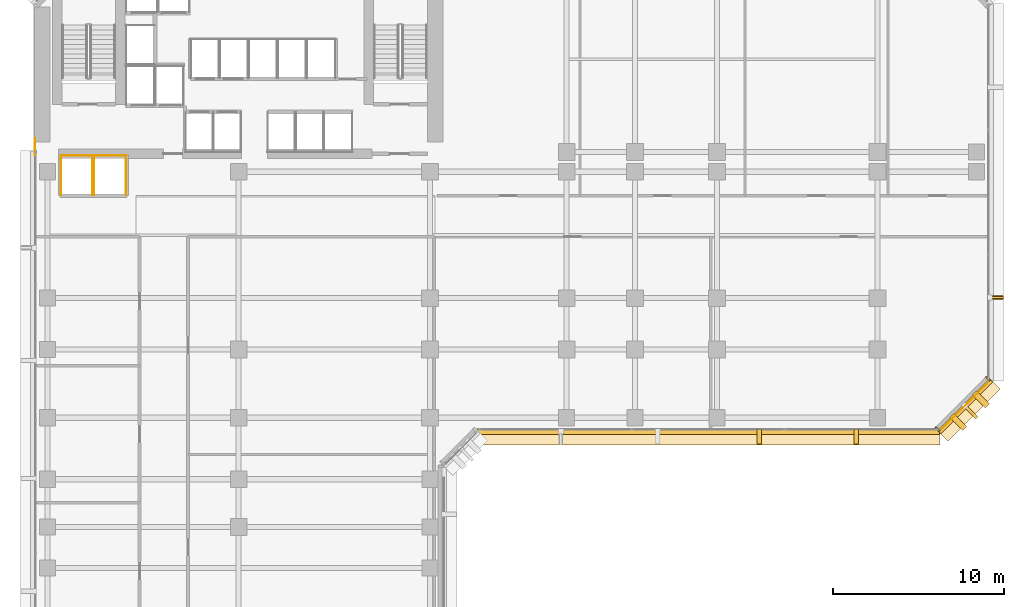
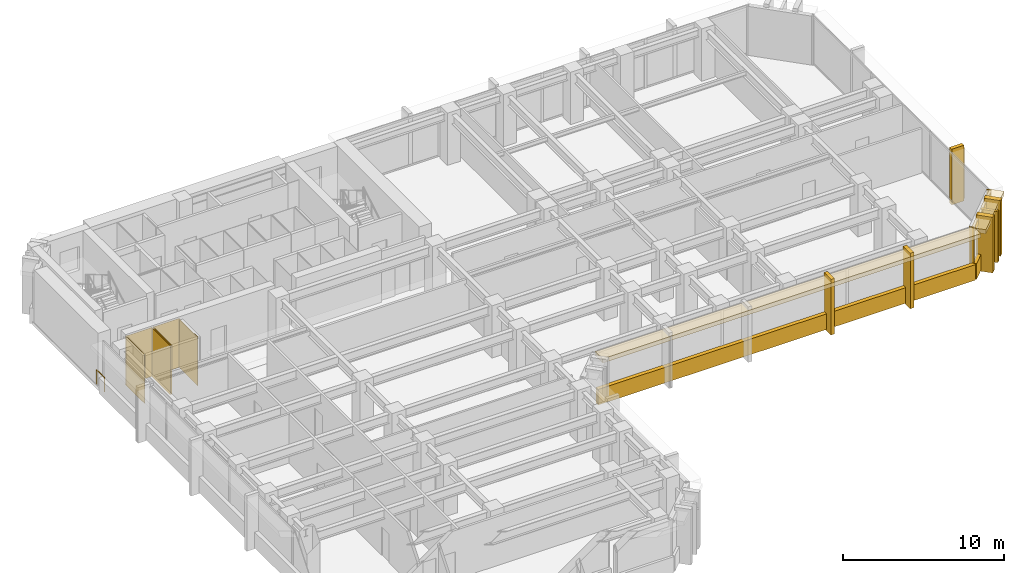
# One storey, part 10 of 13: 18 coverings, 2 shading devices, 1 railing.
"""IFC4 building model written with IfcOpenShell, lengths in metres."""

from ifc_helpers import new_model, si_unit, direction, frame, origin, origin_2d, place, context, subcontext, project, spatial, polyline, rectangle, circle, outline, extrude, material, layer, layer_set, material_profile, profile_set, type_object, element, save


model = new_model("IFC4")

# Units and contexts
model_context = context("Model", 3, precision=1e-05, world=origin(), true_north=direction((0.0, 1.0)))
body_context = subcontext(model_context, "Body", "Model", "MODEL_VIEW")
ifc_project = project(units=[si_unit("LENGTHUNIT", "METRE"), si_unit("AREAUNIT", "SQUARE_METRE"), si_unit("VOLUMEUNIT", "CUBIC_METRE"), si_unit("PLANEANGLEUNIT", "RADIAN"), si_unit("MASSUNIT", "GRAM", prefix="KILO")], contexts=[model_context])

# Site, building, storey
site_placement = place(None, origin())
site = spatial("IfcSite", under=ifc_project, at=site_placement, CompositionType="ELEMENT")
building_placement = place(site_placement, origin())
building = spatial("IfcBuilding", under=site, at=building_placement, Name="Kefirva Bronze Tower", CompositionType="ELEMENT")
storey_placement = place(building_placement, frame((0.0, 0.0, 38.280029296875)))
storey = spatial("IfcBuildingStorey", under=building, at=storey_placement, Name="L08", CompositionType="ELEMENT", Elevation=38.280029296875)

# Coverings
ifc_material_1 = material(Name="Bronze anodised aluminium", Category="aluminium")
ifc_layer_1 = layer(ifc_material_1, 0.02001953125, Name="Bronze anodised aluminium")
ifc_layer_set_1 = layer_set([ifc_layer_1], Name="Bronze anodised aluminium")
covering_type_1 = type_object("IfcCoveringType", Name="Anodised Bronze Spandrel Cladding 20mm", PredefinedType="CLADDING", material=ifc_layer_set_1)
covering_1_placement = place(storey_placement, frame((39.5, 17.9599609375, -0.16015625), z_axis=(0.0, 0.0, 1.0), x_axis=(1.0, 0.0, 0.0)))
element("IfcCovering", 1, at=covering_1_placement, inside=storey, type_object=covering_type_1, Name="L08 Streamline Horizontal Spandrel Band 8", PredefinedType="CLADDING", context=body_context, shape_type="SweptSolid", body=[
    extrude(rectangle(XDim=27.0400390625, YDim=0.280029296875, at=origin_2d()), origin(), (0.0, 0.0, 1.0), 1.179931640625),
])
covering_2_placement = place(storey_placement, frame((54.507080078125, 19.492919921875, 3.2900390625), z_axis=(0.0, 0.0, 1.0), x_axis=(0.707106781187, 0.707106781187, 0.0)))
element("IfcCovering", 2, at=covering_2_placement, inside=storey, type_object=covering_type_1, Name="L08 Bronze Spandrel Cladding 7", PredefinedType="CLADDING", context=body_context, shape_type="SweptSolid", body=[
    extrude(rectangle(XDim=3.719482421875, YDim=0.02001953125, at=origin_2d()), origin(), (0.0, 0.0, 1.0), 0.39990234375),
])
for number, where, z_axis, x_axis, name in (
    (3, (52.91162109375, 18.137939453125, 0.0), (0.0, 0.0, 1.0), (0.707106781187, 0.707106781187, 0.0), "L08 Facade Joint Closure Panel 7S"),
    (4, (55.862060546875, 21.08837890625, 0.0), (0.0, 0.0, 1.0), (0.707106781187, 0.707106781187, 0.0), "L08 Facade Joint Closure Panel 7E"),
):
    element("IfcCovering", number, at=place(storey_placement, frame(where, z_axis=z_axis, x_axis=x_axis)), inside=storey, type_object=covering_type_1, Name=name, PredefinedType="CLADDING", context=body_context, shape_type="SweptSolid", body=[
        extrude(rectangle(XDim=0.10009765625, YDim=0.320068359375, at=origin_2d()), origin(), (0.0, 0.0, 1.0), 3.7099609375),
    ])
covering_3_placement = place(storey_placement, frame((54.5283203125, 19.4716796875, -0.16015625), z_axis=(0.0, 0.0, 1.0), x_axis=(0.707106781187, 0.707106781187, 0.0)))
element("IfcCovering", 5, at=covering_3_placement, inside=storey, type_object=covering_type_1, Name="L08 Streamline Horizontal Spandrel Band 9", PredefinedType="CLADDING", context=body_context, shape_type="SweptSolid", body=[
    extrude(rectangle(XDim=4.28271484375, YDim=0.280029296875, at=origin_2d()), origin(), (0.0, 0.0, 1.0), 1.179931640625),
])
covering_4_placement = place(storey_placement, origin())
element("IfcCovering", 6, at=covering_4_placement, inside=storey, type_object=covering_type_1, Name="L08 Lift OB1 Hoistway Liner N", PredefinedType="CLADDING", context=body_context, shape_type="SweptSolid", body=[
    extrude(outline(polyline([(1.580078125, 34.139892578125), (3.469970703125, 34.139892578125), (3.469970703125, 34.159912109375), (1.580078125, 34.159912109375), (1.580078125, 34.139892578125)])), origin(), (0.0, 0.0, 1.0), 3.7099609375),
])
covering_5_placement = place(storey_placement, origin())
element("IfcCovering", 7, at=covering_5_placement, inside=storey, type_object=covering_type_1, Name="L08 Lift OB1 Hoistway Liner W", PredefinedType="CLADDING", context=body_context, shape_type="SweptSolid", body=[
    extrude(outline(polyline([(1.590087890625, 31.830078125), (1.610107421875, 31.830078125), (1.610107421875, 34.169921875), (1.590087890625, 34.169921875), (1.590087890625, 31.830078125)])), origin(), (0.0, 0.0, 1.0), 3.7099609375),
])
covering_6_placement = place(storey_placement, origin())
element("IfcCovering", 8, at=covering_6_placement, inside=storey, type_object=covering_type_1, Name="L08 Lift OB1 Hoistway Liner E", PredefinedType="CLADDING", context=body_context, shape_type="SweptSolid", body=[
    extrude(outline(polyline([(3.43994140625, 31.830078125), (3.4599609375, 31.830078125), (3.4599609375, 34.169921875), (3.43994140625, 34.169921875), (3.43994140625, 31.830078125)])), origin(), (0.0, 0.0, 1.0), 3.7099609375),
])
covering_7_placement = place(storey_placement, origin())
element("IfcCovering", 9, at=covering_7_placement, inside=storey, type_object=covering_type_1, Name="L08 Lift OB2 Hoistway Liner N", PredefinedType="CLADDING", context=body_context, shape_type="SweptSolid", body=[
    extrude(outline(polyline([(3.530029296875, 34.139892578125), (5.419921875, 34.139892578125), (5.419921875, 34.159912109375), (3.530029296875, 34.159912109375), (3.530029296875, 34.139892578125)])), origin(), (0.0, 0.0, 1.0), 3.7099609375),
])
covering_8_placement = place(storey_placement, origin())
element("IfcCovering", 10, at=covering_8_placement, inside=storey, type_object=covering_type_1, Name="L08 Lift OB2 Hoistway Liner W", PredefinedType="CLADDING", context=body_context, shape_type="SweptSolid", body=[
    extrude(outline(polyline([(3.5400390625, 31.830078125), (3.56005859375, 31.830078125), (3.56005859375, 34.169921875), (3.5400390625, 34.169921875), (3.5400390625, 31.830078125)])), origin(), (0.0, 0.0, 1.0), 3.7099609375),
])
covering_9_placement = place(storey_placement, origin())
element("IfcCovering", 11, at=covering_9_placement, inside=storey, type_object=covering_type_1, Name="L08 Lift OB2 Hoistway Liner E", PredefinedType="CLADDING", context=body_context, shape_type="SweptSolid", body=[
    extrude(outline(polyline([(5.389892578125, 31.830078125), (5.409912109375, 31.830078125), (5.409912109375, 34.169921875), (5.389892578125, 34.169921875), (5.389892578125, 31.830078125)])), origin(), (0.0, 0.0, 1.0), 3.7099609375),
])

# Shading device
ifc_material_profile_1 = material_profile(ifc_material_1, rectangle(XDim=0.179931640625, YDim=1.080078125, at=origin_2d()), Name="BRONZE BUTTRESS FIN 180x1080")
ifc_profile_set_1 = profile_set([ifc_material_profile_1], Name="Bronze anodised aluminium")
shading_device_type_1 = type_object("IfcShadingDeviceType", Name="Chamfered Corner Buttress Bronze Fin 1080mm", PredefinedType="USERDEFINED", material=ifc_profile_set_1)
shading_device_1_placement = place(storey_placement, frame((54.8251953125, 19.1748046875, -0.14013671875), z_axis=(0.0, 0.0, 1.0), x_axis=(0.707106781187, 0.707106781187, 0.0)))
element("IfcShadingDevice", 12, at=shading_device_1_placement, inside=storey, type_object=shading_device_type_1, Name="L08 Chamfered Corner Buttress Fin 14", ObjectType="VERTICAL FIN", PredefinedType="USERDEFINED", context=body_context, shape_type="SweptSolid", body=[
    extrude(rectangle(XDim=0.179931640625, YDim=1.080078125, at=origin_2d()), origin(), (0.0, 0.0, 1.0), 3.85009765625),
])

# Railing
ifc_material_2 = material(Name="Stainless steel 316", Category="steel")
railing_type = type_object("IfcRailingType", Name="Interior Stair Guardrail 1100mm", PredefinedType="GUARDRAIL", material=ifc_material_2)
railing_placement = place(storey_placement, frame((0.080078125, 34.199951171875, 0.0)))
element("IfcRailing", 13, at=railing_placement, inside=storey, type_object=railing_type, Name="L08 West Core Junction Guardrail", PredefinedType="GUARDRAIL", context=body_context, shape_type="SweptSolid", body=[
    extrude(circle(Radius=0.02392578125, at=origin_2d()), frame((0.0, 0.0, 1.076171875), z_axis=(0.0, 1.0, 0.0), x_axis=(-1.0, 0.0, 0.0)), (0.0, 0.0, 1.0), 0.949951171875),
    extrude(circle(Radius=0.02099609375, at=origin_2d()), origin(), (0.0, 0.0, 1.0), 1.052001953125),
    extrude(circle(Radius=0.02099609375, at=origin_2d()), frame((0.0, 0.949951171875, 0.0)), (0.0, 0.0, 1.0), 1.052001953125),
])

# Coverings
ifc_layer_2 = layer(ifc_material_1, 0.179931640625, Name="Bronze anodised aluminium")
ifc_layer_set_2 = layer_set([ifc_layer_2], Name="Bronze anodised aluminium")
covering_type_2 = type_object("IfcCoveringType", Name="Streamline Bronze Sunshade Eyebrow Cladding 180mm", PredefinedType="CLADDING", material=ifc_layer_set_2)
covering_10_placement = place(storey_placement, frame((39.5, 17.68994140625, 3.39013671875), z_axis=(0.0, 0.0, 1.0), x_axis=(1.0, 0.0, 0.0)))
element("IfcCovering", 14, at=covering_10_placement, inside=storey, type_object=covering_type_2, Name="L08 Streamline Bronze Sunshade Eyebrow 8", PredefinedType="CLADDING", context=body_context, shape_type="SweptSolid", body=[
    extrude(rectangle(XDim=27.080078125, YDim=0.93994140625, at=origin_2d()), origin(), (0.0, 0.0, 1.0), 0.320068359375),
])
covering_11_placement = place(storey_placement, frame((54.71923828125, 19.28076171875, 3.39013671875), z_axis=(0.0, 0.0, 1.0), x_axis=(0.707106781187, 0.707106781187, 0.0)))
element("IfcCovering", 15, at=covering_11_placement, inside=storey, type_object=covering_type_2, Name="L08 Streamline Bronze Sunshade Eyebrow 9", PredefinedType="CLADDING", context=body_context, shape_type="SweptSolid", body=[
    extrude(rectangle(XDim=4.322509765625, YDim=0.93994140625, at=origin_2d()), origin(), (0.0, 0.0, 1.0), 0.320068359375),
])
ifc_layer_3 = layer(ifc_material_1, 0.260009765625, Name="Bronze anodised aluminium")
ifc_layer_set_3 = layer_set([ifc_layer_3], Name="Bronze anodised aluminium")
covering_type_3 = type_object("IfcCoveringType", Name="Unbroken Bronze Buttress Fin Cladding 260mm", PredefinedType="CLADDING", material=ifc_layer_set_3)
for number, where, z_axis, x_axis, name in (
    (16, (42.469970703125, 17.699951171875, -0.25), (0.0, 0.0, 1.0), (1.0, 0.0, 0.0), "L08 Unbroken Vertical Bronze Rib Fin 11"),
    (17, (48.139892578125, 17.699951171875, -0.25), (0.0, 0.0, 1.0), (1.0, 0.0, 0.0), "L08 Unbroken Vertical Bronze Rib Fin 12"),
):
    element("IfcCovering", number, at=place(storey_placement, frame(where, z_axis=z_axis, x_axis=x_axis)), inside=storey, type_object=covering_type_3, Name=name, PredefinedType="CLADDING", context=body_context, shape_type="SweptSolid", body=[
        extrude(rectangle(XDim=0.260009765625, YDim=0.8798828125, at=origin_2d()), origin(), (0.0, 0.0, 1.0), 4.2099609375),
    ])
for number, where, z_axis, x_axis, name in (
    (18, (54.122802734375, 18.55712890625, -0.25), (0.0, 0.0, 1.0), (0.707106781187, 0.707106781187, 0.0), "L08 Chamfered Corner Buttress Fin Cladding 13"),
    (19, (55.44287109375, 19.877197265625, -0.25), (0.0, 0.0, 1.0), (0.707106781187, 0.707106781187, 0.0), "L08 Chamfered Corner Buttress Fin Cladding 14"),
):
    element("IfcCovering", number, at=place(storey_placement, frame(where, z_axis=z_axis, x_axis=x_axis)), inside=storey, type_object=covering_type_3, Name=name, PredefinedType="CLADDING", context=body_context, shape_type="SweptSolid", body=[
        extrude(rectangle(XDim=0.340087890625, YDim=1.080078125, at=origin_2d()), origin(), (0.0, 0.0, 1.0), 4.2099609375),
    ])
covering_12_placement = place(storey_placement, frame((56.300048828125, 25.840087890625, -0.25), z_axis=(0.0, 0.0, 1.0), x_axis=(0.0, 1.0, 0.0)))
element("IfcCovering", 20, at=covering_12_placement, inside=storey, type_object=covering_type_3, Name="L08 Unbroken Vertical Bronze Rib Fin 15", PredefinedType="CLADDING", context=body_context, shape_type="SweptSolid", body=[
    extrude(rectangle(XDim=0.260009765625, YDim=0.8798828125, at=origin_2d()), origin(), (0.0, 0.0, 1.0), 4.2099609375),
])

# Shading device
ifc_material_profile_2 = material_profile(ifc_material_1, rectangle(XDim=0.139892578125, YDim=0.8798828125, at=origin_2d()), Name="BRONZE FIN 140x880")
ifc_profile_set_2 = profile_set([ifc_material_profile_2], Name="Bronze anodised aluminium")
shading_device_type_2 = type_object("IfcShadingDeviceType", Name="Unbroken Vertical Bronze Facade Fin 880mm", PredefinedType="USERDEFINED", material=ifc_profile_set_2)
shading_device_2_placement = place(storey_placement, frame((56.360107421875, 25.840087890625, -0.14013671875), z_axis=(0.0, 0.0, 1.0), x_axis=(0.0, 1.0, 0.0)))
element("IfcShadingDevice", 21, at=shading_device_2_placement, inside=storey, type_object=shading_device_type_2, Name="L08 Vertical Bronze Rib Fin 15", ObjectType="VERTICAL FIN", PredefinedType="USERDEFINED", context=body_context, shape_type="SweptSolid", body=[
    extrude(rectangle(XDim=0.139892578125, YDim=0.8798828125, at=origin_2d()), origin(), (0.0, 0.0, 1.0), 3.85009765625),
])

save(model, "model.ifc")
